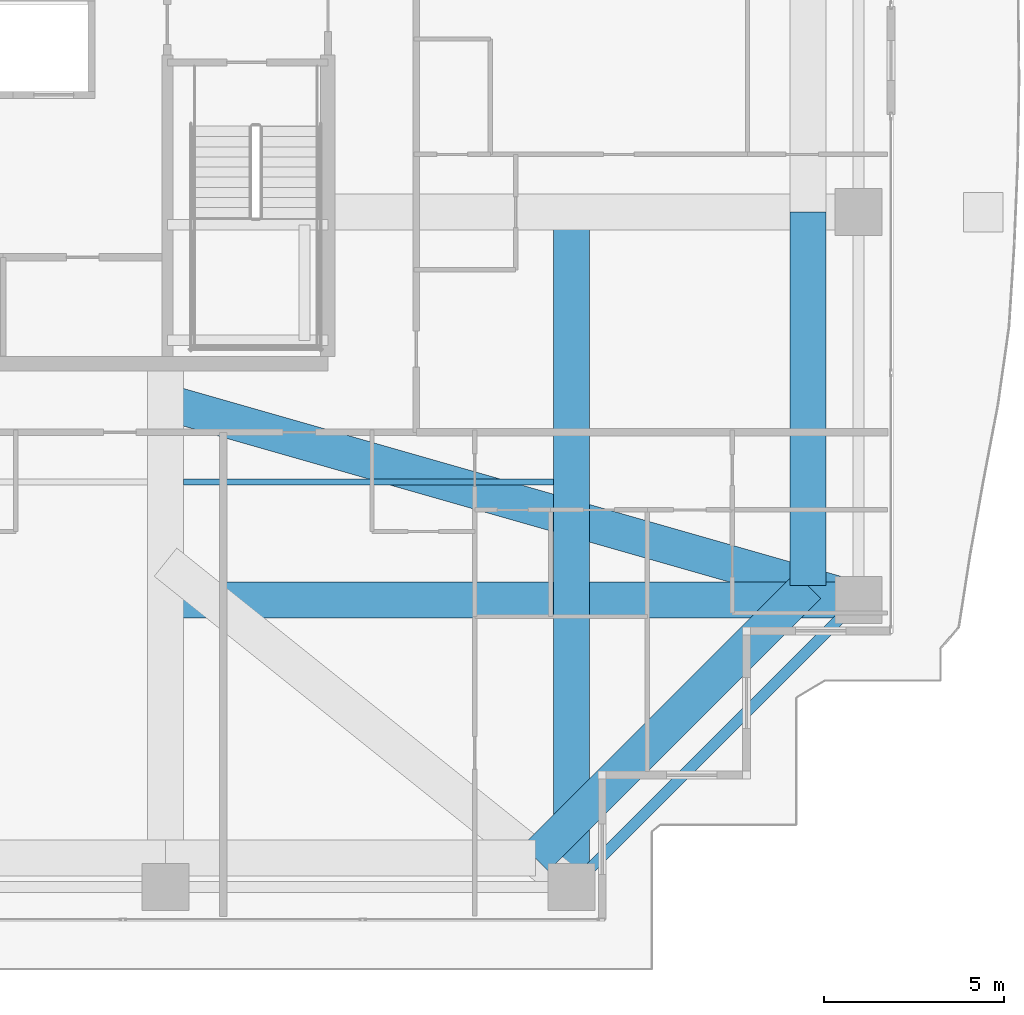
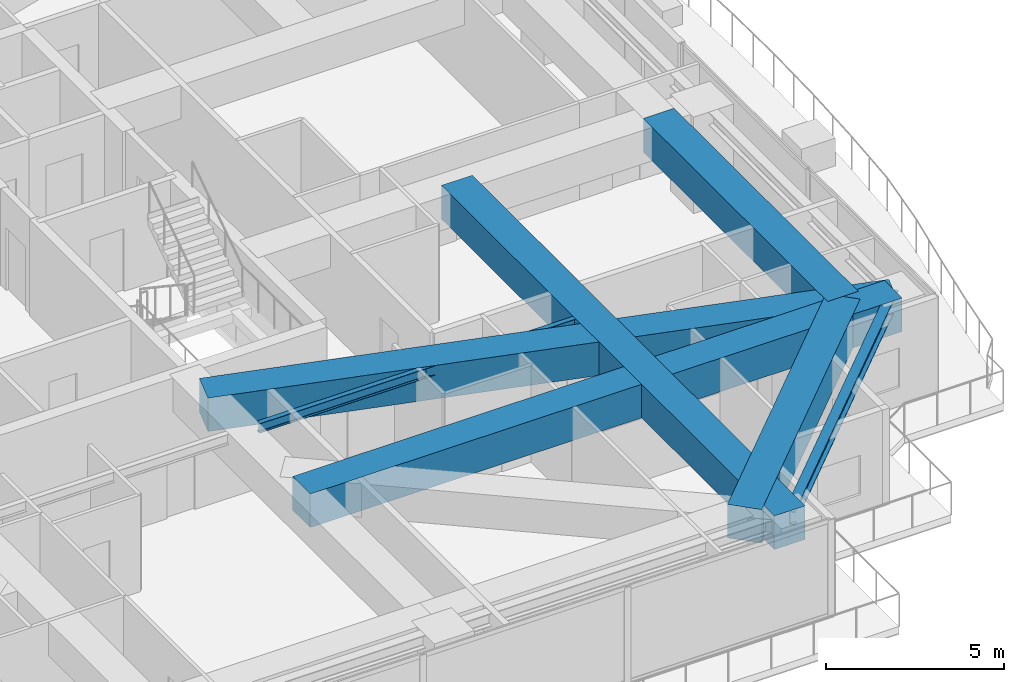
# One storey, part 10 of 32: 7 beams.
"""IFC4 building model written with IfcOpenShell, lengths in metres."""

from ifc_helpers import new_model, si_unit, direction, frame, origin, origin_2d, place, context, subcontext, project, spatial, rectangle, i_section, extrude, source, transform, mapped, material, material_profile, profile_set, type_object, element, save


model = new_model("IFC4")

# Units and contexts
model_context = context("Model", 3, precision=1e-05, world=origin(), true_north=direction((0.0, 1.0)))
body_context = subcontext(model_context, "Body", "Model", "MODEL_VIEW")
ifc_project = project(units=[si_unit("LENGTHUNIT", "METRE"), si_unit("AREAUNIT", "SQUARE_METRE"), si_unit("VOLUMEUNIT", "CUBIC_METRE"), si_unit("PLANEANGLEUNIT", "RADIAN"), si_unit("MASSUNIT", "GRAM", prefix="KILO")], contexts=[model_context])

# Site, building, storey
site_placement = place(None, origin())
site = spatial("IfcSite", under=ifc_project, at=site_placement, CompositionType="ELEMENT")
building_placement = place(site_placement, origin())
building = spatial("IfcBuilding", under=site, at=building_placement, Name="Serunith Strait Residences", CompositionType="ELEMENT")
storey_placement = place(building_placement, frame((0.0, 0.0, 195.14990234375)))
storey = spatial("IfcBuildingStorey", under=building, at=storey_placement, Name="L49", CompositionType="ELEMENT", Elevation=195.14990234375)

# Beams
ifc_material_1 = material(Name="Steel S355J2", Category="steel")
ifc_material_profile_1 = material_profile(ifc_material_1, i_section(OverallWidth=0.300048828125, OverallDepth=0.449951171875, WebThickness=0.013916015625, FlangeThickness=0.02587890625, FilletRadius=0.027099609375, at=origin_2d()), Name="HEB 450")
ifc_profile_set_1 = profile_set([ifc_material_profile_1], Name="Steel S355J2")
beam_type_1 = type_object("IfcBeamType", Name="BM-HEB450", PredefinedType="BEAM", material=ifc_profile_set_1)
shared_shape_1 = source(origin(), body_context, "Body", "SweptSolid", [
    extrude(i_section(OverallWidth=0.300048828125, OverallDepth=0.449951171875, WebThickness=0.013916015625, FlangeThickness=0.02587890625, FilletRadius=0.027099609375, at=origin_2d()), origin(), (0.0, 0.0, 1.0), 11.2431640625),
])
beam_1_placement = place(storey_placement, frame((48.14990234375, 2.300048828125, 3.08203125), z_axis=(0.707117638455, 0.707095923751, 0.0), x_axis=(-0.707095923751, 0.707117638455, 0.0)))
element("IfcBeam", 1, at=beam_1_placement, inside=storey, type_object=beam_type_1, Name="L49 Perimeter Ring Beam 04", PredefinedType="BEAM", context=body_context, shape_type="MappedRepresentation", body=[
    mapped(shared_shape_1, transform((0.0, 0.0, 0.0), scale=1.0)),
])
ifc_material_2 = material(Name="Concrete C80/95", Category="concrete")
ifc_material_profile_2 = material_profile(ifc_material_2, rectangle(XDim=1.0, YDim=1.14990234375, at=origin_2d()), Name="RC 1000x1150")
ifc_profile_set_2 = profile_set([ifc_material_profile_2], Name="Concrete C80/95")
beam_type_2 = type_object("IfcBeamType", Name="BM-XFER-1000x1150", PredefinedType="BEAM", material=ifc_profile_set_2)
shared_shape_2 = source(origin(), body_context, "Body", "SweptSolid", [
    extrude(rectangle(XDim=1.0, YDim=1.14990234375, at=origin_2d()), origin(), (0.0, 0.0, 1.0), 18.699951171875),
])
beam_2_placement = place(storey_placement, frame((48.14990234375, 21.0, 2.735107421875), z_axis=(0.0, -1.0, 0.0), x_axis=(1.0, 0.0, 0.0)))
element("IfcBeam", 2, at=beam_2_placement, inside=storey, type_object=beam_type_2, Name="L49 Orthogonal Corner Girder TC-S4", PredefinedType="BEAM", context=body_context, shape_type="MappedRepresentation", body=[
    mapped(shared_shape_2, transform((0.0, 0.0, 0.0), scale=1.0)),
])
shared_shape_3 = source(origin(), body_context, "Body", "SweptSolid", [
    extrude(rectangle(XDim=1.0, YDim=1.14990234375, at=origin_2d()), origin(), (0.0, 0.0, 1.0), 19.2001953125),
])
beam_3_placement = place(storey_placement, frame((36.89990234375, 10.25, 2.735107421875), z_axis=(1.0, 0.0, 0.0), x_axis=(0.0, 1.0, 0.0)))
element("IfcBeam", 3, at=beam_3_placement, inside=storey, type_object=beam_type_2, Name="L49 Orthogonal Corner Girder TC-E1", PredefinedType="BEAM", context=body_context, shape_type="MappedRepresentation", body=[
    mapped(shared_shape_3, transform((0.0, 0.0, 0.0), scale=1.0)),
])
shared_shape_4 = source(origin(), body_context, "Body", "SweptSolid", [
    extrude(rectangle(XDim=1.0, YDim=1.14990234375, at=origin_2d()), origin(), (0.0, 0.0, 1.0), 19.968505859375),
])
beam_4_placement = place(storey_placement, frame((56.10009765625, 10.25, 2.735107421875), z_axis=(-0.961526254459, 0.274713053907, 0.0), x_axis=(-0.274713053907, -0.961526254459, 0.0)))
element("IfcBeam", 4, at=beam_4_placement, inside=storey, type_object=beam_type_2, Name="L49 Diagonal Corner Transfer Girder TC-E1", PredefinedType="BEAM", context=body_context, shape_type="MappedRepresentation", body=[
    mapped(shared_shape_4, transform((0.0, 0.0, 0.0), scale=1.0)),
])
shared_shape_5 = source(origin(), body_context, "Body", "SweptSolid", [
    extrude(rectangle(XDim=1.0, YDim=1.14990234375, at=origin_2d()), origin(), (0.0, 0.0, 1.0), 10.67724609375),
])
beam_5_placement = place(storey_placement, frame((47.14990234375, 3.10009765625, 2.735107421875), z_axis=(0.707118213887, 0.707095348302, 0.0), x_axis=(-0.707095348302, 0.707118213887, 0.0)))
element("IfcBeam", 5, at=beam_5_placement, inside=storey, type_object=beam_type_2, Name="L49 Flare Upper Ring Transfer Girder 04", PredefinedType="BEAM", context=body_context, shape_type="MappedRepresentation", body=[
    mapped(shared_shape_5, transform((0.0, 0.0, 0.0), scale=1.0)),
])
shared_shape_6 = source(origin(), body_context, "Body", "SweptSolid", [
    extrude(rectangle(XDim=1.0, YDim=1.14990234375, at=origin_2d()), origin(), (0.0, 0.0, 1.0), 10.35009765625),
])
beam_6_placement = place(storey_placement, frame((54.699951171875, 10.64990234375, 2.735107421875), z_axis=(0.0, 1.0, 0.0), x_axis=(-1.0, 0.0, 0.0)))
element("IfcBeam", 6, at=beam_6_placement, inside=storey, type_object=beam_type_2, Name="L49 Flare Upper Ring Transfer Girder 05", PredefinedType="BEAM", context=body_context, shape_type="MappedRepresentation", body=[
    mapped(shared_shape_6, transform((0.0, 0.0, 0.0), scale=1.0)),
])
ifc_material_profile_3 = material_profile(ifc_material_1, i_section(OverallWidth=0.159912109375, OverallDepth=0.330078125, WebThickness=0.007568359375, FlangeThickness=0.011474609375, FilletRadius=0.01806640625, at=origin_2d()), Name="IPE 330")
ifc_profile_set_3 = profile_set([ifc_material_profile_3], Name="Steel S355J2")
beam_type_3 = type_object("IfcBeamType", Name="BM-IPE330", PredefinedType="JOIST", material=ifc_profile_set_3)
shared_shape_7 = source(origin(), body_context, "Body", "SweptSolid", [
    extrude(i_section(OverallWidth=0.159912109375, OverallDepth=0.330078125, WebThickness=0.007568359375, FlangeThickness=0.011474609375, FilletRadius=0.01806640625, at=origin_2d()), origin(), (0.0, 0.0, 1.0), 10.25),
])
beam_7_placement = place(storey_placement, frame((37.39990234375, 13.52490234375, 3.14208984375), z_axis=(1.0, 0.0, 0.0), x_axis=(0.0, 1.0, 0.0)))
element("IfcBeam", 7, at=beam_7_placement, inside=storey, type_object=beam_type_3, Name="L49 Composite Floor Joist 03", PredefinedType="JOIST", context=body_context, shape_type="MappedRepresentation", body=[
    mapped(shared_shape_7, transform((0.0, 0.0, 0.0), scale=1.0)),
])

save(model, "model.ifc")
